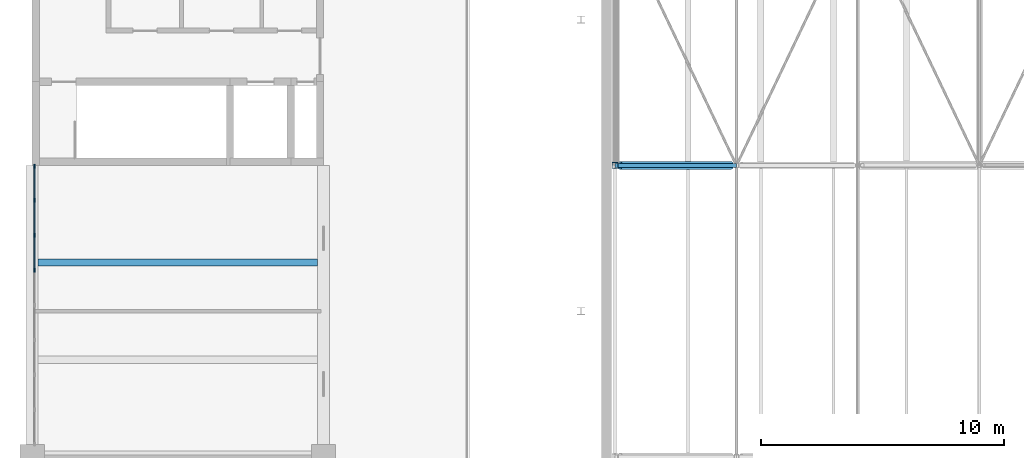
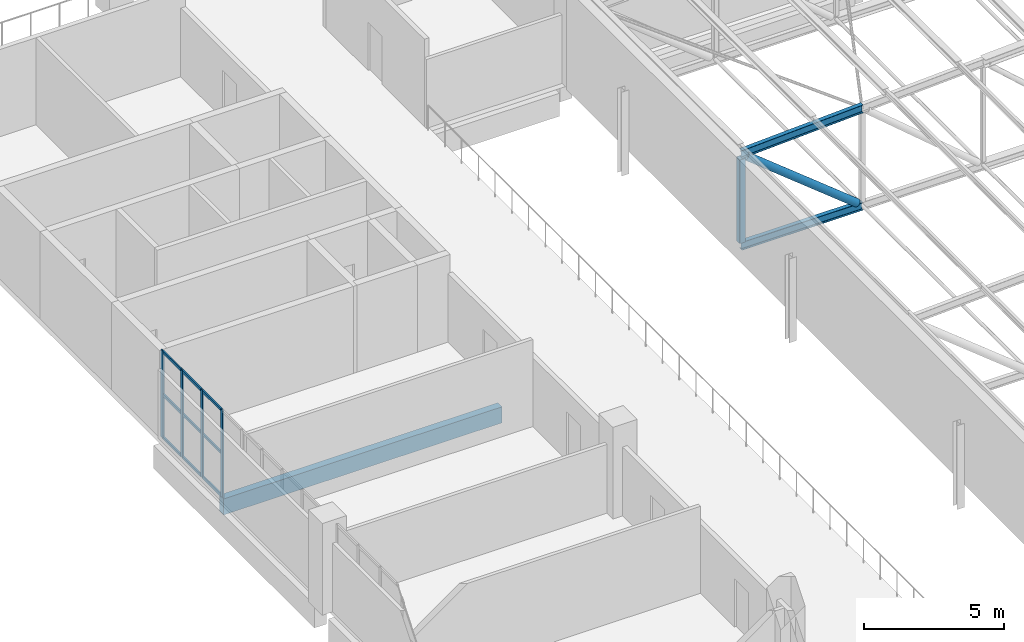
# One storey, part 104 of 156: 17 members, 1 beam, 1 element without a shape of its own.
"""IFC4 building model written with IfcOpenShell, lengths in metres."""

from ifc_helpers import new_model, si_unit, direction, frame, origin, origin_2d, place, context, subcontext, project, spatial, rectangle, hollow_rectangle, hollow_circle, i_section, extrude, material, layer, layer_set, material_profile, profile_set, type_object, element, aggregate, save


model = new_model("IFC4")

# Units and contexts
model_context = context("Model", 3, precision=1e-05, world=origin(), true_north=direction((0.0, 1.0)))
body_context = subcontext(model_context, "Body", "Model", "MODEL_VIEW")
ifc_project = project(units=[si_unit("LENGTHUNIT", "METRE"), si_unit("AREAUNIT", "SQUARE_METRE"), si_unit("VOLUMEUNIT", "CUBIC_METRE"), si_unit("PLANEANGLEUNIT", "RADIAN"), si_unit("MASSUNIT", "GRAM", prefix="KILO")], contexts=[model_context])

# Site, building, storey
site_placement = place(None, origin())
site = spatial("IfcSite", under=ifc_project, at=site_placement, CompositionType="ELEMENT")
building_placement = place(site_placement, origin())
building = spatial("IfcBuilding", under=site, at=building_placement, Name="Lilac Gate Convention Centre", CompositionType="ELEMENT")
storey_placement = place(building_placement, frame((0.0, 0.0, 17.0)))
storey = spatial("IfcBuildingStorey", under=building, at=storey_placement, Name="L03", CompositionType="ELEMENT", Elevation=17.0)

# Curtain wall, members
ifc_material_1 = material(Name="Aluminium framed double glazing", Category="aluminium")
ifc_layer = layer(ifc_material_1, 0.199951171875)
ifc_layer_set = layer_set([ifc_layer], Name="Aluminium framed double glazing")
curtain_wall_type = type_object("IfcCurtainWallType", Name="Unitised curtain wall 1500", PredefinedType="NOTDEFINED", material=ifc_layer_set)
curtain_wall_placement = place(storey_placement, origin())
curtain_wall = element("IfcCurtainWall", 1, at=curtain_wall_placement, inside=storey, type_object=curtain_wall_type, Name="Curtain wall PW L03 1", PredefinedType="NOTDEFINED")
ifc_material_2 = material(Name="Aluminium alloy 6063", Category="aluminium")
ifc_material_profile_1 = material_profile(ifc_material_2, rectangle(XDim=0.06005859375, YDim=0.159912109375, at=origin_2d()), Name="Curtain wall mullion 60 x 160")
ifc_profile_set_1 = profile_set([ifc_material_profile_1], Name="Aluminium alloy 6063")
member_type_1 = type_object("IfcMemberType", Name="Curtain wall mullion 60 x 160", PredefinedType="MULLION", material=ifc_profile_set_1)
member_1_placement = place(storey_placement, frame((6.10009765625, 209.969970703125, 0.0), z_axis=(0.0, 0.0, 1.0), x_axis=(1.0, 0.0, 0.0)))
member_1 = element("IfcMember", 2, at=member_1_placement, type_object=member_type_1, Name="CW mullion 1", PredefinedType="MULLION", context=body_context, shape_type="SweptSolid", body=[
    extrude(rectangle(XDim=0.06005859375, YDim=0.159912109375, at=origin_2d()), origin(), (0.0, 0.0, 1.0), 3.800048828125),
])
member_2_placement = place(storey_placement, frame((6.10009765625, 208.5625, 0.0), z_axis=(0.0, 0.0, 1.0), x_axis=(1.0, 0.0, 0.0)))
member_2 = element("IfcMember", 3, at=member_2_placement, type_object=member_type_1, Name="CW mullion 2", PredefinedType="MULLION", context=body_context, shape_type="SweptSolid", body=[
    extrude(rectangle(XDim=0.06005859375, YDim=0.159912109375, at=origin_2d()), origin(), (0.0, 0.0, 1.0), 3.800048828125),
])
member_3_placement = place(storey_placement, frame((6.10009765625, 207.125, 0.0), z_axis=(0.0, 0.0, 1.0), x_axis=(1.0, 0.0, 0.0)))
member_3 = element("IfcMember", 4, at=member_3_placement, type_object=member_type_1, Name="CW mullion 3", PredefinedType="MULLION", context=body_context, shape_type="SweptSolid", body=[
    extrude(rectangle(XDim=0.06005859375, YDim=0.159912109375, at=origin_2d()), origin(), (0.0, 0.0, 1.0), 3.800048828125),
])
member_4_placement = place(storey_placement, frame((6.10009765625, 205.6875, 0.0), z_axis=(0.0, 0.0, 1.0), x_axis=(1.0, 0.0, 0.0)))
member_4 = element("IfcMember", 5, at=member_4_placement, type_object=member_type_1, Name="CW mullion 4", PredefinedType="MULLION", context=body_context, shape_type="SweptSolid", body=[
    extrude(rectangle(XDim=0.06005859375, YDim=0.159912109375, at=origin_2d()), origin(), (0.0, 0.0, 1.0), 3.800048828125),
])
ifc_material_profile_2 = material_profile(ifc_material_2, rectangle(XDim=0.06005859375, YDim=0.1201171875, at=origin_2d()), Name="Curtain wall transom 60 x 120")
ifc_profile_set_2 = profile_set([ifc_material_profile_2], Name="Aluminium alloy 6063")
member_type_2 = type_object("IfcMemberType", Name="Curtain wall transom 60 x 120", PredefinedType="USERDEFINED", material=ifc_profile_set_2)
member_5_placement = place(storey_placement, frame((6.10009765625, 209.93994140625, 0.030029296875), z_axis=(0.0, -1.0, 0.0), x_axis=(1.0, 0.0, 0.0)))
member_5 = element("IfcMember", 6, at=member_5_placement, type_object=member_type_2, Name="CW transom 1.1", ObjectType="TRANSOM", PredefinedType="USERDEFINED", context=body_context, shape_type="SweptSolid", body=[
    extrude(rectangle(XDim=0.06005859375, YDim=0.1201171875, at=origin_2d()), origin(), (0.0, 0.0, 1.0), 1.347412109375),
])
member_6_placement = place(storey_placement, frame((6.10009765625, 209.93994140625, 1.89990234375), z_axis=(0.0, -1.0, 0.0), x_axis=(1.0, 0.0, 0.0)))
member_6 = element("IfcMember", 7, at=member_6_placement, type_object=member_type_2, Name="CW transom 1.2", ObjectType="TRANSOM", PredefinedType="USERDEFINED", context=body_context, shape_type="SweptSolid", body=[
    extrude(rectangle(XDim=0.06005859375, YDim=0.1201171875, at=origin_2d()), origin(), (0.0, 0.0, 1.0), 1.347412109375),
])
member_7_placement = place(storey_placement, frame((6.10009765625, 209.93994140625, 3.77001953125), z_axis=(0.0, -1.0, 0.0), x_axis=(1.0, 0.0, 0.0)))
member_7 = element("IfcMember", 8, at=member_7_placement, type_object=member_type_2, Name="CW transom 1.3", ObjectType="TRANSOM", PredefinedType="USERDEFINED", context=body_context, shape_type="SweptSolid", body=[
    extrude(rectangle(XDim=0.06005859375, YDim=0.1201171875, at=origin_2d()), origin(), (0.0, 0.0, 1.0), 1.347412109375),
])
member_8_placement = place(storey_placement, frame((6.10009765625, 208.532470703125, 0.030029296875), z_axis=(0.0, -1.0, 0.0), x_axis=(1.0, 0.0, 0.0)))
member_8 = element("IfcMember", 9, at=member_8_placement, type_object=member_type_2, Name="CW transom 2.1", ObjectType="TRANSOM", PredefinedType="USERDEFINED", context=body_context, shape_type="SweptSolid", body=[
    extrude(rectangle(XDim=0.06005859375, YDim=0.1201171875, at=origin_2d()), origin(), (0.0, 0.0, 1.0), 1.37744140625),
])
member_9_placement = place(storey_placement, frame((6.10009765625, 208.532470703125, 1.89990234375), z_axis=(0.0, -1.0, 0.0), x_axis=(1.0, 0.0, 0.0)))
member_9 = element("IfcMember", 10, at=member_9_placement, type_object=member_type_2, Name="CW transom 2.2", ObjectType="TRANSOM", PredefinedType="USERDEFINED", context=body_context, shape_type="SweptSolid", body=[
    extrude(rectangle(XDim=0.06005859375, YDim=0.1201171875, at=origin_2d()), origin(), (0.0, 0.0, 1.0), 1.37744140625),
])
member_10_placement = place(storey_placement, frame((6.10009765625, 208.532470703125, 3.77001953125), z_axis=(0.0, -1.0, 0.0), x_axis=(1.0, 0.0, 0.0)))
member_10 = element("IfcMember", 11, at=member_10_placement, type_object=member_type_2, Name="CW transom 2.3", ObjectType="TRANSOM", PredefinedType="USERDEFINED", context=body_context, shape_type="SweptSolid", body=[
    extrude(rectangle(XDim=0.06005859375, YDim=0.1201171875, at=origin_2d()), origin(), (0.0, 0.0, 1.0), 1.37744140625),
])
member_11_placement = place(storey_placement, frame((6.10009765625, 207.094970703125, 0.030029296875), z_axis=(0.0, -1.0, 0.0), x_axis=(1.0, 0.0, 0.0)))
member_11 = element("IfcMember", 12, at=member_11_placement, type_object=member_type_2, Name="CW transom 3.1", ObjectType="TRANSOM", PredefinedType="USERDEFINED", context=body_context, shape_type="SweptSolid", body=[
    extrude(rectangle(XDim=0.06005859375, YDim=0.1201171875, at=origin_2d()), origin(), (0.0, 0.0, 1.0), 1.37744140625),
])
member_12_placement = place(storey_placement, frame((6.10009765625, 207.094970703125, 1.89990234375), z_axis=(0.0, -1.0, 0.0), x_axis=(1.0, 0.0, 0.0)))
member_12 = element("IfcMember", 13, at=member_12_placement, type_object=member_type_2, Name="CW transom 3.2", ObjectType="TRANSOM", PredefinedType="USERDEFINED", context=body_context, shape_type="SweptSolid", body=[
    extrude(rectangle(XDim=0.06005859375, YDim=0.1201171875, at=origin_2d()), origin(), (0.0, 0.0, 1.0), 1.37744140625),
])
member_13_placement = place(storey_placement, frame((6.10009765625, 207.094970703125, 3.77001953125), z_axis=(0.0, -1.0, 0.0), x_axis=(1.0, 0.0, 0.0)))
member_13 = element("IfcMember", 14, at=member_13_placement, type_object=member_type_2, Name="CW transom 3.3", ObjectType="TRANSOM", PredefinedType="USERDEFINED", context=body_context, shape_type="SweptSolid", body=[
    extrude(rectangle(XDim=0.06005859375, YDim=0.1201171875, at=origin_2d()), origin(), (0.0, 0.0, 1.0), 1.37744140625),
])
aggregate(curtain_wall, [member_1, member_2, member_3, member_4, member_5, member_6, member_7, member_8, member_9, member_10, member_11, member_12, member_13])

# Beam
ifc_material_3 = material(Name="Concrete C40", Category="concrete")
ifc_material_profile_3 = material_profile(ifc_material_3, rectangle(XDim=0.300048828125, YDim=0.699951171875, at=origin_2d()), Name="RC 300x700")
ifc_profile_set_3 = profile_set([ifc_material_profile_3], Name="Concrete C40")
beam_type = type_object("IfcBeamType", Name="Secondary beam 300x700 C40", PredefinedType="BEAM", material=ifc_profile_set_3)
beam_placement = place(storey_placement, frame((6.25, 206.0, -0.60009765625), z_axis=(1.0, 0.0, 0.0), x_axis=(0.0, 1.0, 0.0)))
element("IfcBeam", 15, at=beam_placement, inside=storey, type_object=beam_type, Name="RB2 L03 bay 1/Q", PredefinedType="BEAM", context=body_context, shape_type="SweptSolid", body=[
    extrude(rectangle(XDim=0.300048828125, YDim=0.699951171875, at=origin_2d()), origin(), (0.0, 0.0, 1.0), 11.5),
])

# Members
ifc_material_4 = material(Name="Steel Q355B", Category="steel")
ifc_material_profile_4 = material_profile(ifc_material_4, i_section(OverallWidth=0.175048828125, OverallDepth=0.35009765625, WebThickness=0.007080078125, FlangeThickness=0.010986328125, FilletRadius=0.012939453125, at=origin_2d()), Name="HN350x175x7x11")
ifc_profile_set_4 = profile_set([ifc_material_profile_4], Name="Steel Q355B")
member_type_3 = type_object("IfcMemberType", Name="Truss bottom chord HN350x175x7x11", PredefinedType="CHORD", material=ifc_profile_set_4)
member_14_placement = place(storey_placement, frame((30.0, 210.0, 0.0), z_axis=(1.0, 0.0, 0.0), x_axis=(0.0, 1.0, 0.0)))
element("IfcMember", 16, at=member_14_placement, inside=storey, type_object=member_type_3, Name="TB1 truss 16 bottom chord 1", PredefinedType="CHORD", context=body_context, shape_type="SweptSolid", body=[
    extrude(i_section(OverallWidth=0.175048828125, OverallDepth=0.35009765625, WebThickness=0.007080078125, FlangeThickness=0.010986328125, FilletRadius=0.012939453125, at=origin_2d()), origin(), (0.0, 0.0, 1.0), 5.0),
])
ifc_material_profile_5 = material_profile(ifc_material_4, hollow_circle(Radius=0.161865234375, WallThickness=0.011962890625, at=origin_2d()), Name="CHS323.9x12")
ifc_profile_set_5 = profile_set([ifc_material_profile_5], Name="Steel Q355B")
member_type_4 = type_object("IfcMemberType", Name="Truss diagonal CHS323.9x12", PredefinedType="BRACE", material=ifc_profile_set_5)
member_15_placement = place(storey_placement, frame((30.205322265625, 210.0, 3.835693359375), z_axis=(0.780876938611, 0.0, -0.624684885959), x_axis=(0.0, 1.0, 0.0)))
element("IfcMember", 17, at=member_15_placement, inside=storey, type_object=member_type_4, Name="TW1 truss 16 diagonal 1", PredefinedType="BRACE", context=body_context, shape_type="SweptSolid", body=[
    extrude(hollow_circle(Radius=0.161865234375, WallThickness=0.011962890625, at=origin_2d()), origin(), (0.0, 0.0, 1.0), 5.860107421875),
])
ifc_material_profile_6 = material_profile(ifc_material_4, i_section(OverallWidth=0.175048828125, OverallDepth=0.35009765625, WebThickness=0.007080078125, FlangeThickness=0.010986328125, FilletRadius=0.012939453125, at=origin_2d()), Name="HN350x175x7x11")
ifc_profile_set_6 = profile_set([ifc_material_profile_6], Name="Steel Q355B")
member_type_5 = type_object("IfcMemberType", Name="Truss top chord HN350x175x7x11", PredefinedType="CHORD", material=ifc_profile_set_6)
member_16_placement = place(storey_placement, frame((30.0, 210.0, 4.0), z_axis=(0.998752338878, 0.0, 0.049937616944), x_axis=(0.0, 1.0, 0.0)))
element("IfcMember", 18, at=member_16_placement, inside=storey, type_object=member_type_5, Name="TT1 truss 16 top chord 1", PredefinedType="CHORD", context=body_context, shape_type="SweptSolid", body=[
    extrude(i_section(OverallWidth=0.175048828125, OverallDepth=0.35009765625, WebThickness=0.007080078125, FlangeThickness=0.010986328125, FilletRadius=0.012939453125, at=origin_2d()), origin(), (0.0, 0.0, 1.0), 5.00634765625),
])
ifc_material_profile_7 = material_profile(ifc_material_4, hollow_rectangle(XDim=0.25, YDim=0.25, WallThickness=0.010009765625, InnerFilletRadius=0.014892578125, OuterFilletRadius=0.02490234375, at=origin_2d()), Name="SHS250x250x10")
ifc_profile_set_7 = profile_set([ifc_material_profile_7], Name="Steel Q355B")
member_type_6 = type_object("IfcMemberType", Name="Truss vertical SHS250x250x10", PredefinedType="STRUT", material=ifc_profile_set_7)
member_17_placement = place(storey_placement, frame((30.0, 210.0, 0.175048828125), z_axis=(0.0, 0.0, 1.0), x_axis=(1.0, 0.0, 0.0)))
element("IfcMember", 19, at=member_17_placement, inside=storey, type_object=member_type_6, Name="TV1 truss 16 vertical 1", PredefinedType="STRUT", context=body_context, shape_type="SweptSolid", body=[
    extrude(hollow_rectangle(XDim=0.25, YDim=0.25, WallThickness=0.010009765625, InnerFilletRadius=0.014892578125, OuterFilletRadius=0.02490234375, at=origin_2d()), origin(), (0.0, 0.0, 1.0), 3.649658203125),
])

save(model, "model.ifc")
